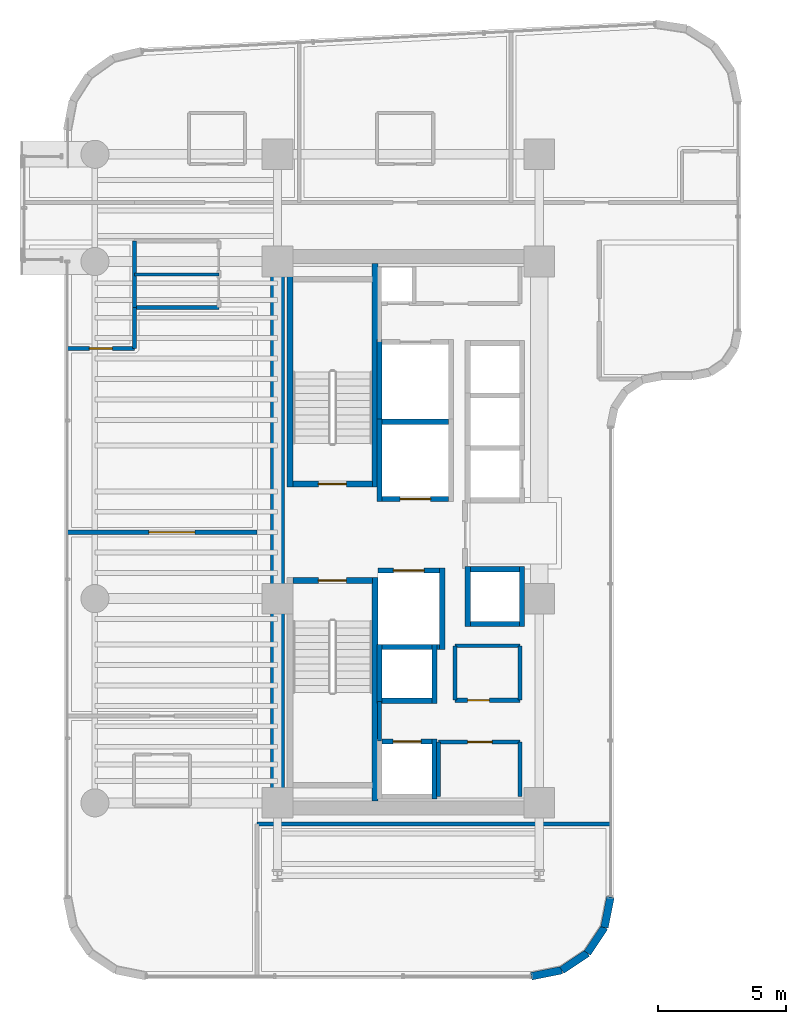
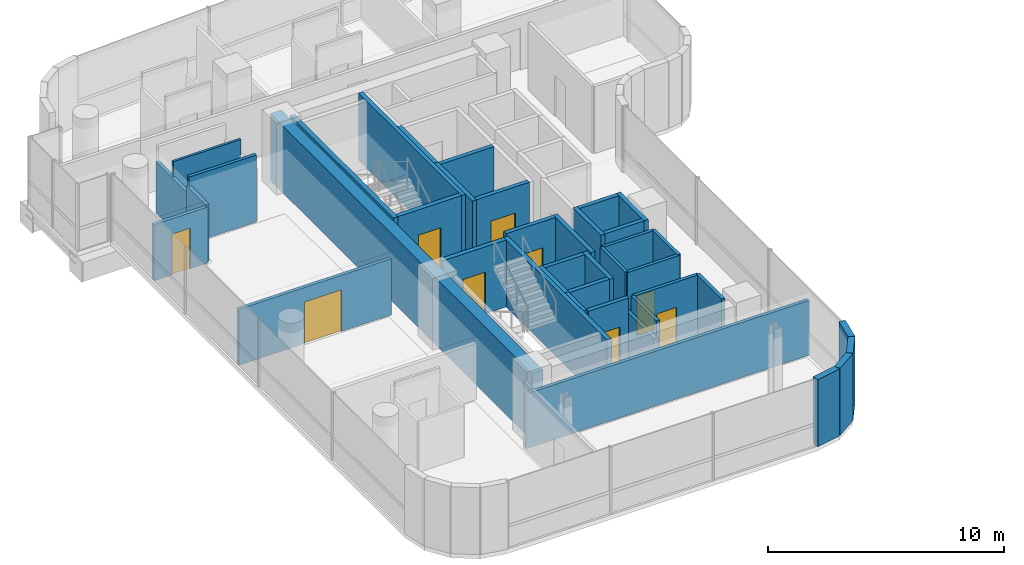
# One storey, part 25 of 33: 41 walls, 9 doors, 9 openings.
"""IFC4 building model written with IfcOpenShell, lengths in metres."""

from ifc_helpers import new_model, si_unit, direction, frame, frame_2d, origin, place, context, subcontext, project, spatial, rectangle, extrude, material, layer, layer_set, type_object, element, fill, save


model = new_model("IFC4")

# Units and contexts
model_context = context("Model", 3, precision=1e-05, world=origin(), true_north=direction((0.0, 1.0)))
body_context = subcontext(model_context, "Body", "Model", "MODEL_VIEW")
ifc_project = project(units=[si_unit("LENGTHUNIT", "METRE"), si_unit("AREAUNIT", "SQUARE_METRE"), si_unit("VOLUMEUNIT", "CUBIC_METRE"), si_unit("PLANEANGLEUNIT", "RADIAN"), si_unit("MASSUNIT", "GRAM", prefix="KILO")], contexts=[model_context])

# Site, building, storey
site_placement = place(None, origin())
site = spatial("IfcSite", under=ifc_project, at=site_placement, CompositionType="ELEMENT")
building_placement = place(site_placement, origin())
building = spatial("IfcBuilding", under=site, at=building_placement, Name="Valdorenza Pilgrim Sanctuary Tower", CompositionType="ELEMENT")
storey_placement = place(building_placement, frame((0.0, 0.0, 157.5)))
storey = spatial("IfcBuildingStorey", under=building, at=storey_placement, Name="L40", CompositionType="ELEMENT", Elevation=157.5)

# Wall
ifc_material_1 = material(Name="Acoustic twin-stud gypsum partition", Category="gypsum")
ifc_layer_1 = layer(ifc_material_1, 0.159912109375, Name="Acoustic twin-stud gypsum partition")
ifc_layer_set_1 = layer_set([ifc_layer_1], Name="Acoustic twin-stud gypsum partition")
wall_type_1 = type_object("IfcWallType", Name="WAL-COR-160", PredefinedType="PARTITIONING", material=ifc_layer_set_1)
wall_1_placement = place(storey_placement, frame((-18.64990234375, -8.179931640625, 0.0), z_axis=(0.0, 0.0, 1.0), x_axis=(0.0, 1.0, 0.0)))
element("IfcWall", 1, at=wall_1_placement, inside=storey, type_object=wall_type_1, Name="L40 Core A South Lift Hall West Wall", PredefinedType="PARTITIONING", context=body_context, shape_type="SweptSolid", body=[
    extrude(rectangle(XDim=1.559814453125, YDim=0.159912109375, at=frame_2d((0.77978515625, 0.0))), origin(), (0.0, 0.0, 1.0), 3.4599609375),
])

# Wall, opening, door
wall_2_placement = place(storey_placement, frame((-16.35009765625, -8.219970703125, 0.0), z_axis=(0.0, 0.0, 1.0), x_axis=(1.0, 0.0, 0.0)))
wall_2 = element("IfcWall", 2, at=wall_2_placement, inside=storey, type_object=wall_type_1, Name="L40 Freed Shaft 1 North Wall", PredefinedType="PARTITIONING", context=body_context, shape_type="SweptSolid", body=[
    extrude(rectangle(XDim=3.2001953125, YDim=0.159912109375, at=frame_2d((1.60009765625, 0.0))), origin(), (0.0, 0.0, 1.0), 3.4599609375),
])
opening_1_placement = place(wall_2_placement, frame((1.14990234375, 0.0, 0.0)))
opening_1 = element("IfcOpeningElement", 3, at=opening_1_placement, cuts=wall_2, Name="Opening DR-UN1", PredefinedType="OPENING", context=body_context, shape_type="SweptSolid", body=[
    extrude(rectangle(XDim=0.949951171875, YDim=2.14990234375, at=frame_2d((0.47509765625, 1.074951171875))), frame((0.0, 0.0947265625, 0.0), z_axis=(0.0, -1.0, 0.0), x_axis=(1.0, 0.0, 0.0)), (0.0, 0.0, 1.0), 0.189697265625),
])
ifc_material_2 = material(Name="Solid-core European oak timber", Category="wood")
door_type_1 = type_object("IfcDoorType", Name="DR-UNIT-950", OperationType="NOTDEFINED", PredefinedType="DOOR", material=ifc_material_2)
door_1_placement = place(opening_1_placement, origin())
door_1 = element("IfcDoor", 4, at=door_1_placement, inside=storey, type_object=door_type_1, Name="L40 Back-of-House Linen Store Door", OperationType="SINGLE_SWING_LEFT", OverallHeight=2.14990234375, OverallWidth=0.949951171875, PredefinedType="DOOR", context=body_context, shape_type="SweptSolid", body=[
    extrude(rectangle(XDim=0.949951171875, YDim=2.14990234375, at=frame_2d((0.47509765625, 1.074951171875))), frame((0.0, 0.02490234375, 0.0), z_axis=(0.0, -1.0, 0.0), x_axis=(1.0, 0.0, 0.0)), (0.0, 0.0, 1.0), 0.050048828125),
])
fill(opening_1, door_1)

# Wall
wall_3_placement = place(storey_placement, frame((-13.14990234375, -10.35009765625, 0.0), z_axis=(0.0, 0.0, 1.0), x_axis=(0.0, 1.0, 0.0)))
element("IfcWall", 5, at=wall_3_placement, inside=storey, type_object=wall_type_1, Name="L40 Freed Shaft 1 East Wall", PredefinedType="PARTITIONING", context=body_context, shape_type="SweptSolid", body=[
    extrude(rectangle(XDim=2.130126953125, YDim=0.159912109375, at=frame_2d((1.06494140625, 0.0))), origin(), (0.0, 0.0, 1.0), 3.4599609375),
])

# Wall, opening, door
wall_4_placement = place(storey_placement, frame((-15.699951171875, -6.580078125, 0.0), z_axis=(0.0, 0.0, 1.0), x_axis=(1.0, 0.0, 0.0)))
wall_4 = element("IfcWall", 6, at=wall_4_placement, inside=storey, type_object=wall_type_1, Name="L40 Freed Shaft 2 South Wall", PredefinedType="PARTITIONING", context=body_context, shape_type="SweptSolid", body=[
    extrude(rectangle(XDim=2.550048828125, YDim=0.159912109375, at=frame_2d((1.27490234375, 0.0))), origin(), (0.0, 0.0, 1.0), 3.4599609375),
])
opening_2_placement = place(wall_4_placement, frame((0.5, 0.0, 0.0)))
opening_2 = element("IfcOpeningElement", 7, at=opening_2_placement, cuts=wall_4, Name="Opening DR-RS1", PredefinedType="OPENING", context=body_context, shape_type="SweptSolid", body=[
    extrude(rectangle(XDim=0.85009765625, YDim=2.050048828125, at=frame_2d((0.425048828125, 1.02490234375))), frame((0.0, 0.0947265625, 0.0), z_axis=(0.0, -1.0, 0.0), x_axis=(1.0, 0.0, 0.0)), (0.0, 0.0, 1.0), 0.189697265625),
])
ifc_material_3 = material(Name="Painted galvanized steel", Category="steel")
door_type_2 = type_object("IfcDoorType", Name="DR-RSR-850", OperationType="NOTDEFINED", PredefinedType="DOOR", material=ifc_material_3)
door_2_placement = place(opening_2_placement, origin())
door_2 = element("IfcDoor", 8, at=door_2_placement, inside=storey, type_object=door_type_2, Name="L40 Guest Tea Pantry Door", OperationType="SINGLE_SWING_RIGHT", OverallHeight=2.050048828125, OverallWidth=0.85009765625, PredefinedType="DOOR", context=body_context, shape_type="SweptSolid", body=[
    extrude(rectangle(XDim=0.85009765625, YDim=2.050048828125, at=frame_2d((0.425048828125, 1.02490234375))), frame((0.0, 0.02490234375, 0.0), z_axis=(0.0, -1.0, 0.0), x_axis=(1.0, 0.0, 0.0)), (0.0, 0.0, 1.0), 0.050048828125),
])
fill(opening_2, door_2)

# Walls
wall_5_placement = place(storey_placement, frame((-13.14990234375, -6.580078125, 0.0), z_axis=(0.0, 0.0, 1.0), x_axis=(0.0, 1.0, 0.0)))
element("IfcWall", 9, at=wall_5_placement, inside=storey, type_object=wall_type_1, Name="L40 Freed Shaft 2 East Wall", PredefinedType="PARTITIONING", context=body_context, shape_type="SweptSolid", body=[
    extrude(rectangle(XDim=2.130126953125, YDim=0.159912109375, at=frame_2d((1.06494140625, 0.0))), origin(), (0.0, 0.0, 1.0), 3.4599609375),
])
wall_6_placement = place(storey_placement, frame((-28.25, 8.800048828125, 0.0), z_axis=(0.0, 0.0, 1.0), x_axis=(0.0, 1.0, 0.0)))
element("IfcWall", 10, at=wall_6_placement, inside=storey, type_object=wall_type_1, Name="L40 Washroom West Wall", PredefinedType="PARTITIONING", context=body_context, shape_type="SweptSolid", body=[
    extrude(rectangle(XDim=2.599853515625, YDim=0.159912109375, at=frame_2d((1.2998046875, 0.0))), origin(), (0.0, 0.0, 1.0), 2.666015625),
])
wall_7_placement = place(storey_placement, frame((-28.25, 8.800048828125, 0.0), z_axis=(0.0, 0.0, 1.0), x_axis=(1.0, 0.0, 0.0)))
element("IfcWall", 11, at=wall_7_placement, inside=storey, type_object=wall_type_1, Name="L40 Washroom South Wall", PredefinedType="PARTITIONING", context=body_context, shape_type="SweptSolid", body=[
    extrude(rectangle(XDim=3.300048828125, YDim=0.159912109375, at=frame_2d((1.64990234375, 0.0))), origin(), (0.0, 0.0, 1.0), 3.4599609375),
])
wall_8_placement = place(storey_placement, frame((-23.449951171875, -11.419921875, 0.0), z_axis=(0.0, 0.0, 1.0), x_axis=(1.0, 0.0, 0.0)))
element("IfcWall", 12, at=wall_8_placement, inside=storey, type_object=wall_type_1, Name="L40 South-East Pocket North Wall", PredefinedType="PARTITIONING", context=body_context, shape_type="SweptSolid", body=[
    extrude(rectangle(XDim=13.83984375, YDim=0.159912109375, at=frame_2d((6.919921875, 0.0))), origin(), (0.0, 0.0, 1.0), 2.833984375),
])

# Wall, opening, door
wall_9_placement = place(storey_placement, frame((-30.889892578125, 7.199951171875, 0.0), z_axis=(0.0, 0.0, 1.0), x_axis=(1.0, 0.0, 0.0)))
wall_9 = element("IfcWall", 13, at=wall_9_placement, inside=storey, type_object=wall_type_1, Name="L40 Cloister North Room Wall", PredefinedType="PARTITIONING", context=body_context, shape_type="SweptSolid", body=[
    extrude(rectangle(XDim=2.639892578125, YDim=0.159912109375, at=frame_2d((1.31982421875, 0.0))), origin(), (0.0, 0.0, 1.0), 2.89599609375),
])
opening_3_placement = place(wall_9_placement, frame((0.8701171875, 0.0, 0.0)))
opening_3 = element("IfcOpeningElement", 14, at=opening_3_placement, cuts=wall_9, Name="Opening DR-RM1", PredefinedType="OPENING", context=body_context, shape_type="SweptSolid", body=[
    extrude(rectangle(XDim=0.89990234375, YDim=2.10009765625, at=frame_2d((0.449951171875, 1.050048828125))), frame((0.0, 0.0947265625, 0.0), z_axis=(0.0, -1.0, 0.0), x_axis=(1.0, 0.0, 0.0)), (0.0, 0.0, 1.0), 0.189697265625),
])
door_type_3 = type_object("IfcDoorType", Name="DR-ROOM-900", OperationType="NOTDEFINED", PredefinedType="DOOR", material=ifc_material_2)
door_3_placement = place(opening_3_placement, origin())
door_3 = element("IfcDoor", 15, at=door_3_placement, inside=storey, type_object=door_type_3, Name="L40 Pastoral Scholar Office L40-CN1 Door", OperationType="SINGLE_SWING_RIGHT", OverallHeight=2.10009765625, OverallWidth=0.89990234375, PredefinedType="DOOR", context=body_context, shape_type="SweptSolid", body=[
    extrude(rectangle(XDim=0.89990234375, YDim=2.10009765625, at=frame_2d((0.449951171875, 1.050048828125))), frame((0.0, 0.02490234375, 0.0), z_axis=(0.0, -1.0, 0.0), x_axis=(1.0, 0.0, 0.0)), (0.0, 0.0, 1.0), 0.050048828125),
])
fill(opening_3, door_3)

# Wall
wall_10_placement = place(storey_placement, frame((-28.25, 7.199951171875, 0.0), z_axis=(0.0, 0.0, 1.0), x_axis=(0.0, 1.0, 0.0)))
element("IfcWall", 16, at=wall_10_placement, inside=storey, type_object=wall_type_1, Name="L40 Cloister NE Closure", PredefinedType="PARTITIONING", context=body_context, shape_type="SweptSolid", body=[
    extrude(rectangle(XDim=1.60009765625, YDim=0.159912109375, at=frame_2d((0.800048828125, 0.0))), origin(), (0.0, 0.0, 1.0), 2.988037109375),
])

# Wall, opening, door
wall_11_placement = place(storey_placement, frame((-30.889892578125, 0.0, 0.0), z_axis=(0.0, 0.0, 1.0), x_axis=(1.0, 0.0, 0.0)))
wall_11 = element("IfcWall", 17, at=wall_11_placement, inside=storey, type_object=wall_type_1, Name="L40 Cloister Mid Wall", PredefinedType="PARTITIONING", context=body_context, shape_type="SweptSolid", body=[
    extrude(rectangle(XDim=7.43994140625, YDim=0.159912109375, at=frame_2d((3.719970703125, 0.0))), origin(), (0.0, 0.0, 1.0), 2.89599609375),
])
opening_4_placement = place(wall_11_placement, frame((3.199951171875, 0.0, 0.0)))
opening_4 = element("IfcOpeningElement", 18, at=opening_4_placement, cuts=wall_11, Name="Opening DR-HL1", PredefinedType="OPENING", context=body_context, shape_type="SweptSolid", body=[
    extrude(rectangle(XDim=1.800048828125, YDim=2.14990234375, at=frame_2d((0.89990234375, 1.074951171875))), frame((0.0, 0.0947265625, 0.0), z_axis=(0.0, -1.0, 0.0), x_axis=(1.0, 0.0, 0.0)), (0.0, 0.0, 1.0), 0.189697265625),
])
ifc_material_4 = material(Name="Acoustic oak and vision-glass double door", Category="glass")
door_type_4 = type_object("IfcDoorType", Name="DR-HALL-1800", OperationType="NOTDEFINED", PredefinedType="DOOR", material=ifc_material_4)
door_4_placement = place(opening_4_placement, frame((1.800048828125, 0.0, 0.0), z_axis=(0.0, 0.0, 1.0), x_axis=(-1.0, 0.0, 0.0)))
door_4 = element("IfcDoor", 19, at=door_4_placement, inside=storey, type_object=door_type_4, Name="L40 Cloister Mid Double Door", OperationType="DOUBLE_DOOR_SINGLE_SWING", OverallHeight=2.14990234375, OverallWidth=1.800048828125, PredefinedType="DOOR", context=body_context, shape_type="SweptSolid", body=[
    extrude(rectangle(XDim=1.800048828125, YDim=2.14990234375, at=frame_2d((0.89990234375, 1.074951171875))), frame((0.0, 0.02490234375, 0.0), z_axis=(0.0, -1.0, 0.0), x_axis=(1.0, 0.0, 0.0)), (0.0, 0.0, 1.0), 0.050048828125),
])
fill(opening_4, door_4)

# Walls
ifc_material_5 = material(Name="Concrete C50/60", Category="concrete")
ifc_layer_2 = layer(ifc_material_5, 0.550048828125, Name="Concrete C50/60")
ifc_layer_set_2 = layer_set([ifc_layer_2], Name="Concrete C50/60")
wall_type_2 = type_object("IfcWallType", Name="WAL-COR-550", PredefinedType="SHEAR", material=ifc_layer_set_2)
wall_12_placement = place(storey_placement, frame((-22.64990234375, -11.074951171875, 0.0), z_axis=(0.0, 0.0, 1.0), x_axis=(0.0, 1.0, 0.0)))
element("IfcWall", 20, at=wall_12_placement, inside=storey, type_object=wall_type_2, Name="L40 Split Core A Shear Wall W", PredefinedType="SHEAR", context=body_context, shape_type="SweptSolid", body=[
    extrude(rectangle(XDim=22.14990234375, YDim=0.550048828125, at=frame_2d((11.074951171875, 0.0))), origin(), (0.0, 0.0, 1.0), 3.4599609375),
])
ifc_material_6 = material(Name="Honed travertine limestone", Category="masonry")
ifc_layer_3 = layer(ifc_material_6, 0.300048828125, Name="Honed travertine limestone")
ifc_layer_set_3 = layer_set([ifc_layer_3], Name="Honed travertine limestone")
wall_type_3 = type_object("IfcWallType", Name="WAL-EXT-300", PredefinedType="SOLIDWALL", material=ifc_layer_set_3)
wall_13_placement = place(storey_placement, frame((-9.610107421875, -14.289306640625, 0.0), z_axis=(0.0, 0.0, 1.0), x_axis=(-0.194996050505, -0.980804027463, 0.0)))
element("IfcWall", 21, at=wall_13_placement, inside=storey, type_object=wall_type_3, Name="L40 Rounded Wind-Corner Stone Pier 22", PredefinedType="SOLIDWALL", context=body_context, shape_type="SweptSolid", body=[
    extrude(rectangle(XDim=1.2158203125, YDim=0.300048828125, at=frame_2d((0.60791015625, 0.0))), origin(), (0.0, 0.0, 1.0), 3.4599609375),
])
for number, where, z_axis, x_axis, name in (
    (22, (-9.84716796875, -15.481689453125, 0.0), (0.0, 0.0, 1.0), (-0.555635100982, -0.831426265255, 0.0), "L40 Rounded Wind-Corner Stone Pier 23"),
    (23, (-10.5166015625, -16.4833984375, 0.0), (0.0, 0.0, 1.0), (-0.831426265255, -0.555635100982, 0.0), "L40 Rounded Wind-Corner Stone Pier 24"),
):
    element("IfcWall", number, at=place(storey_placement, frame(where, z_axis=z_axis, x_axis=x_axis)), inside=storey, type_object=wall_type_3, Name=name, PredefinedType="SOLIDWALL", context=body_context, shape_type="SweptSolid", body=[
        extrude(rectangle(XDim=1.204833984375, YDim=0.300048828125, at=frame_2d((0.6025390625, 0.0))), origin(), (0.0, 0.0, 1.0), 3.4599609375),
    ])
wall_14_placement = place(storey_placement, frame((-11.518310546875, -17.15283203125, 0.0), z_axis=(0.0, 0.0, 1.0), x_axis=(-0.980804027463, -0.194996050505, 0.0)))
element("IfcWall", 24, at=wall_14_placement, inside=storey, type_object=wall_type_3, Name="L40 Rounded Wind-Corner Stone Pier 25", PredefinedType="SOLIDWALL", context=body_context, shape_type="SweptSolid", body=[
    extrude(rectangle(XDim=1.2158203125, YDim=0.300048828125, at=frame_2d((0.60791015625, 0.0))), origin(), (0.0, 0.0, 1.0), 3.4599609375),
])
ifc_material_7 = material(Name="Moisture-resistant gypsum partition", Category="gypsum")
ifc_layer_4 = layer(ifc_material_7, 0.1201171875, Name="Moisture-resistant gypsum partition")
ifc_layer_set_4 = layer_set([ifc_layer_4], Name="Moisture-resistant gypsum partition")
wall_type_4 = type_object("IfcWallType", Name="WAL-INT-120", PredefinedType="PARTITIONING", material=ifc_layer_set_4)
wall_15_placement = place(storey_placement, frame((-28.25, 10.10009765625, 0.0), z_axis=(0.0, 0.0, 1.0), x_axis=(1.0, 0.0, 0.0)))
element("IfcWall", 25, at=wall_15_placement, inside=storey, type_object=wall_type_4, Name="L40 Washroom Divider Wall", PredefinedType="PARTITIONING", context=body_context, shape_type="SweptSolid", body=[
    extrude(rectangle(XDim=3.300048828125, YDim=0.1201171875, at=frame_2d((1.64990234375, 0.0))), origin(), (0.0, 0.0, 1.0), 3.4599609375),
])
ifc_material_8 = material(Name="Autoclaved aerated concrete blockwork", Category="masonry")
ifc_layer_5 = layer(ifc_material_8, 0.199951171875, Name="Autoclaved aerated concrete blockwork")
ifc_layer_set_5 = layer_set([ifc_layer_5], Name="Autoclaved aerated concrete blockwork")
wall_type_5 = type_object("IfcWallType", Name="WAL-SHF-200", PredefinedType="MOVABLE", material=ifc_layer_set_5)
wall_16_placement = place(storey_placement, frame((-18.64990234375, 1.199951171875, 0.0), z_axis=(0.0, 0.0, 1.0), x_axis=(0.0, 1.0, 0.0)))
element("IfcWall", 26, at=wall_16_placement, inside=storey, type_object=wall_type_5, Name="L40 Lift FFL-01 Hoistway Wall West", PredefinedType="MOVABLE", context=body_context, shape_type="SweptSolid", body=[
    extrude(rectangle(XDim=3.22509765625, YDim=0.199951171875, at=frame_2d((1.612548828125, 0.0))), origin(), (0.0, 0.0, 1.0), 3.4599609375),
])

# Wall, opening, door
wall_17_placement = place(storey_placement, frame((-18.550048828125, 1.300048828125, 0.0), z_axis=(0.0, 0.0, 1.0), x_axis=(1.0, 0.0, 0.0)))
wall_17 = element("IfcWall", 27, at=wall_17_placement, inside=storey, type_object=wall_type_5, Name="L40 Lift FFL-01 Hoistway Wall South", PredefinedType="MOVABLE", context=body_context, shape_type="SweptSolid", body=[
    extrude(rectangle(XDim=2.60009765625, YDim=0.199951171875, at=frame_2d((1.300048828125, 0.0))), origin(), (0.0, 0.0, 1.0), 3.4599609375),
])
opening_5_placement = place(wall_17_placement, frame((0.699951171875, 0.0, 0.0)))
opening_5 = element("IfcOpeningElement", 28, at=opening_5_placement, cuts=wall_17, Name="Opening LD-02", PredefinedType="OPENING", context=body_context, shape_type="SweptSolid", body=[
    extrude(rectangle(XDim=1.199951171875, YDim=2.10009765625, at=frame_2d((0.60009765625, 1.050048828125))), frame((0.0, 0.11474609375, 0.0), z_axis=(0.0, -1.0, 0.0), x_axis=(1.0, 0.0, 0.0)), (0.0, 0.0, 1.0), 0.229736328125),
])
ifc_material_9 = material(Name="Brushed stainless steel Grade 316", Category="steel")
door_type_5 = type_object("IfcDoorType", Name="DR-LFT-1200", OperationType="DOUBLE_DOOR_SLIDING", PredefinedType="DOOR", material=ifc_material_9)
door_5_placement = place(opening_5_placement, origin())
door_5 = element("IfcDoor", 29, at=door_5_placement, inside=storey, type_object=door_type_5, Name="L40 Lift FFL-01 Sliding Landing Door", OperationType="DOUBLE_DOOR_SLIDING", OverallHeight=2.10009765625, OverallWidth=1.199951171875, PredefinedType="DOOR", context=body_context, shape_type="SweptSolid", body=[
    extrude(rectangle(XDim=1.199951171875, YDim=2.10009765625, at=frame_2d((0.60009765625, 1.050048828125))), frame((0.0, 0.02490234375, 0.0), z_axis=(0.0, -1.0, 0.0), x_axis=(1.0, 0.0, 0.0)), (0.0, 0.0, 1.0), 0.050048828125),
])
fill(opening_5, door_5)

# Walls
wall_18_placement = place(storey_placement, frame((-18.550048828125, 4.324951171875, 0.0), z_axis=(0.0, 0.0, 1.0), x_axis=(1.0, 0.0, 0.0)))
element("IfcWall", 30, at=wall_18_placement, inside=storey, type_object=wall_type_5, Name="L40 Lift FFL-01 Hoistway Wall North", PredefinedType="MOVABLE", context=body_context, shape_type="SweptSolid", body=[
    extrude(rectangle(XDim=2.60009765625, YDim=0.199951171875, at=frame_2d((1.300048828125, 0.0))), origin(), (0.0, 0.0, 1.0), 3.4599609375),
])
wall_19_placement = place(storey_placement, frame((-16.199951171875, -4.60009765625, 0.0), z_axis=(0.0, 0.0, 1.0), x_axis=(0.0, 1.0, 0.0)))
element("IfcWall", 31, at=wall_19_placement, inside=storey, type_object=wall_type_5, Name="L40 Lift FFL-02 Hoistway Wall East", PredefinedType="MOVABLE", context=body_context, shape_type="SweptSolid", body=[
    extrude(rectangle(XDim=3.2001953125, YDim=0.199951171875, at=frame_2d((1.60009765625, 0.0))), origin(), (0.0, 0.0, 1.0), 3.4599609375),
])
wall_20_placement = place(storey_placement, frame((-18.719970703125, -4.5, 0.0), z_axis=(0.0, 0.0, 1.0), x_axis=(1.0, 0.0, 0.0)))
element("IfcWall", 32, at=wall_20_placement, inside=storey, type_object=wall_type_5, Name="L40 Lift FFL-02 Hoistway Wall South", PredefinedType="MOVABLE", context=body_context, shape_type="SweptSolid", body=[
    extrude(rectangle(XDim=2.419921875, YDim=0.199951171875, at=frame_2d((1.2099609375, 0.0))), origin(), (0.0, 0.0, 1.0), 3.4599609375),
])

# Wall, opening, door
wall_21_placement = place(storey_placement, frame((-18.719970703125, -1.5, 0.0), z_axis=(0.0, 0.0, 1.0), x_axis=(1.0, 0.0, 0.0)))
wall_21 = element("IfcWall", 33, at=wall_21_placement, inside=storey, type_object=wall_type_5, Name="L40 Lift FFL-02 Hoistway Wall North", PredefinedType="MOVABLE", context=body_context, shape_type="SweptSolid", body=[
    extrude(rectangle(XDim=2.419921875, YDim=0.199951171875, at=frame_2d((1.2099609375, 0.0))), origin(), (0.0, 0.0, 1.0), 3.4599609375),
])
opening_6_placement = place(wall_21_placement, frame((0.610107421875, 0.0, 0.0)))
opening_6 = element("IfcOpeningElement", 34, at=opening_6_placement, cuts=wall_21, Name="Opening LD-02", PredefinedType="OPENING", context=body_context, shape_type="SweptSolid", body=[
    extrude(rectangle(XDim=1.199951171875, YDim=2.10009765625, at=frame_2d((0.60009765625, 1.050048828125))), frame((0.0, 0.11474609375, 0.0), z_axis=(0.0, -1.0, 0.0), x_axis=(1.0, 0.0, 0.0)), (0.0, 0.0, 1.0), 0.229736328125),
])
door_6_placement = place(opening_6_placement, origin())
door_6 = element("IfcDoor", 35, at=door_6_placement, inside=storey, type_object=door_type_5, Name="L40 Lift FFL-02 Sliding Landing Door", OperationType="DOUBLE_DOOR_SLIDING", OverallHeight=2.10009765625, OverallWidth=1.199951171875, PredefinedType="DOOR", context=body_context, shape_type="SweptSolid", body=[
    extrude(rectangle(XDim=1.199951171875, YDim=2.10009765625, at=frame_2d((0.60009765625, 1.050048828125))), frame((0.0, 0.02490234375, 0.0), z_axis=(0.0, -1.0, 0.0), x_axis=(1.0, 0.0, 0.0)), (0.0, 0.0, 1.0), 0.050048828125),
])
fill(opening_6, door_6)

# Walls
wall_22_placement = place(storey_placement, frame((-18.64990234375, 4.22509765625, 0.0), z_axis=(0.0, 0.0, 1.0), x_axis=(0.0, 1.0, 0.0)))
element("IfcWall", 36, at=wall_22_placement, inside=storey, type_object=wall_type_5, Name="L40 Lift SVL-01 Hoistway Wall West", PredefinedType="MOVABLE", context=body_context, shape_type="SweptSolid", body=[
    extrude(rectangle(XDim=3.324951171875, YDim=0.199951171875, at=frame_2d((1.66259765625, 0.0))), origin(), (0.0, 0.0, 1.0), 3.4599609375),
])
wall_23_placement = place(storey_placement, frame((-16.5, -10.449951171875, 0.0), z_axis=(0.0, 0.0, 1.0), x_axis=(0.0, 1.0, 0.0)))
element("IfcWall", 37, at=wall_23_placement, inside=storey, type_object=wall_type_5, Name="L40 Lift PL-05 Hoistway Wall East", PredefinedType="MOVABLE", context=body_context, shape_type="SweptSolid", body=[
    extrude(rectangle(XDim=2.349853515625, YDim=0.199951171875, at=frame_2d((1.1748046875, 0.0))), origin(), (0.0, 0.0, 1.0), 2.666015625),
])

# Wall, opening, door
wall_24_placement = place(storey_placement, frame((-18.550048828125, -8.199951171875, 0.0), z_axis=(0.0, 0.0, 1.0), x_axis=(1.0, 0.0, 0.0)))
wall_24 = element("IfcWall", 38, at=wall_24_placement, inside=storey, type_object=wall_type_5, Name="L40 Lift PL-05 Hoistway Wall North", PredefinedType="MOVABLE", context=body_context, shape_type="SweptSolid", body=[
    extrude(rectangle(XDim=1.949951171875, YDim=0.199951171875, at=frame_2d((0.97509765625, 0.0))), origin(), (0.0, 0.0, 1.0), 3.4599609375),
])
opening_7_placement = place(wall_24_placement, frame((0.425048828125, 0.0, 0.0)))
opening_7 = element("IfcOpeningElement", 39, at=opening_7_placement, cuts=wall_24, Name="Opening LD-01", PredefinedType="OPENING", context=body_context, shape_type="SweptSolid", body=[
    extrude(rectangle(XDim=1.10009765625, YDim=2.10009765625, at=frame_2d((0.550048828125, 1.050048828125))), frame((0.0, 0.11474609375, 0.0), z_axis=(0.0, -1.0, 0.0), x_axis=(1.0, 0.0, 0.0)), (0.0, 0.0, 1.0), 0.229736328125),
])
door_type_6 = type_object("IfcDoorType", Name="DR-LFT-1100", OperationType="DOUBLE_DOOR_SLIDING", PredefinedType="DOOR", material=ifc_material_9)
door_7_placement = place(opening_7_placement, origin())
door_7 = element("IfcDoor", 40, at=door_7_placement, inside=storey, type_object=door_type_6, Name="L40 Lift PL-05 Sliding Landing Door", OperationType="DOUBLE_DOOR_SLIDING", OverallHeight=2.10009765625, OverallWidth=1.10009765625, PredefinedType="DOOR", context=body_context, shape_type="SweptSolid", body=[
    extrude(rectangle(XDim=1.10009765625, YDim=2.10009765625, at=frame_2d((0.550048828125, 1.050048828125))), frame((0.0, 0.02490234375, 0.0), z_axis=(0.0, -1.0, 0.0), x_axis=(1.0, 0.0, 0.0)), (0.0, 0.0, 1.0), 0.050048828125),
])
fill(opening_7, door_7)

# Walls
for number, where, z_axis, x_axis, name in (
    (41, (-18.64990234375, -6.699951171875, 0.0), (0.0, 0.0, 1.0), (0.0, 1.0, 0.0), "L40 Lift PL-11 Hoistway Wall West"),
    (42, (-16.5, -6.699951171875, 0.0), (0.0, 0.0, 1.0), (0.0, 1.0, 0.0), "L40 Lift PL-11 Hoistway Wall East"),
):
    element("IfcWall", number, at=place(storey_placement, frame(where, z_axis=z_axis, x_axis=x_axis)), inside=storey, type_object=wall_type_5, Name=name, PredefinedType="MOVABLE", context=body_context, shape_type="SweptSolid", body=[
        extrude(rectangle(XDim=2.300048828125, YDim=0.199951171875, at=frame_2d((1.14990234375, 0.0))), origin(), (0.0, 0.0, 1.0), 3.4599609375),
    ])
wall_25_placement = place(storey_placement, frame((-18.550048828125, -6.60009765625, 0.0), z_axis=(0.0, 0.0, 1.0), x_axis=(1.0, 0.0, 0.0)))
element("IfcWall", 43, at=wall_25_placement, inside=storey, type_object=wall_type_5, Name="L40 Lift PL-11 Hoistway Wall South", PredefinedType="MOVABLE", context=body_context, shape_type="SweptSolid", body=[
    extrude(rectangle(XDim=1.949951171875, YDim=0.199951171875, at=frame_2d((0.97509765625, 0.0))), origin(), (0.0, 0.0, 1.0), 3.4599609375),
])
for number, where, z_axis, x_axis, name in (
    (44, (-15.199951171875, -3.699951171875, 0.0), (0.0, 0.0, 1.0), (0.0, 1.0, 0.0), "L40 Lift PL-12 Hoistway Wall West"),
    (45, (-13.080078125, -3.699951171875, 0.0), (0.0, 0.0, 1.0), (0.0, 1.0, 0.0), "L40 Lift PL-12 Hoistway Wall East"),
):
    element("IfcWall", number, at=place(storey_placement, frame(where, z_axis=z_axis, x_axis=x_axis)), inside=storey, type_object=wall_type_5, Name=name, PredefinedType="MOVABLE", context=body_context, shape_type="SweptSolid", body=[
        extrude(rectangle(XDim=2.349853515625, YDim=0.199951171875, at=frame_2d((1.1748046875, 0.0))), origin(), (0.0, 0.0, 1.0), 3.4599609375),
    ])
for number, where, z_axis, x_axis, name in (
    (46, (-15.10009765625, -3.60009765625, 0.0), (0.0, 0.0, 1.0), (1.0, 0.0, 0.0), "L40 Lift PL-12 Hoistway Wall South"),
    (47, (-15.10009765625, -1.449951171875, 0.0), (0.0, 0.0, 1.0), (1.0, 0.0, 0.0), "L40 Lift PL-12 Hoistway Wall North"),
):
    element("IfcWall", number, at=place(storey_placement, frame(where, z_axis=z_axis, x_axis=x_axis)), inside=storey, type_object=wall_type_5, Name=name, PredefinedType="MOVABLE", context=body_context, shape_type="SweptSolid", body=[
        extrude(rectangle(XDim=1.920166015625, YDim=0.199951171875, at=frame_2d((0.9599609375, 0.0))), origin(), (0.0, 0.0, 1.0), 3.4599609375),
    ])
ifc_material_10 = material(Name="Concrete C40/50", Category="concrete")
ifc_layer_6 = layer(ifc_material_10, 0.219970703125, Name="Concrete C40/50")
ifc_layer_set_6 = layer_set([ifc_layer_6], Name="Concrete C40/50")
wall_type_6 = type_object("IfcWallType", Name="WAL-STR-SHF-220", PredefinedType="SHEAR", material=ifc_layer_set_6)
for number, where, z_axis, x_axis, name in (
    (48, (-22.159912109375, 1.780029296875, 0.0), (0.0, 0.0, 1.0), (0.0, 1.0, 0.0), "L40 ST-A1 Structural Stairwell Wall W"),
    (49, (-18.830078125, 1.780029296875, 0.0), (0.0, 0.0, 1.0), (0.0, 1.0, 0.0), "L40 ST-A1 Structural Stairwell Wall E"),
):
    element("IfcWall", number, at=place(storey_placement, frame(where, z_axis=z_axis, x_axis=x_axis)), inside=storey, type_object=wall_type_6, Name=name, PredefinedType="SHEAR", context=body_context, shape_type="SweptSolid", body=[
        extrude(rectangle(XDim=8.744873046875, YDim=0.219970703125, at=frame_2d((4.37255859375, 0.0))), origin(), (0.0, 0.0, 1.0), 3.4599609375),
    ])

# Wall, opening, door
wall_26_placement = place(storey_placement, frame((-22.050048828125, 1.889892578125, 0.0), z_axis=(0.0, 0.0, 1.0), x_axis=(1.0, 0.0, 0.0)))
wall_26 = element("IfcWall", 50, at=wall_26_placement, inside=storey, type_object=wall_type_6, Name="L40 ST-A1 Structural Stairwell Wall S", PredefinedType="SHEAR", context=body_context, shape_type="SweptSolid", body=[
    extrude(rectangle(XDim=3.110107421875, YDim=0.219970703125, at=frame_2d((1.55517578125, 0.0))), origin(), (0.0, 0.0, 1.0), 3.4599609375),
])
opening_8_placement = place(wall_26_placement, frame((1.0, 0.0, 0.0)))
opening_8 = element("IfcOpeningElement", 51, at=opening_8_placement, cuts=wall_26, Name="Opening DR-ST1", PredefinedType="OPENING", context=body_context, shape_type="SweptSolid", body=[
    extrude(rectangle(XDim=1.10009765625, YDim=2.14990234375, at=frame_2d((0.550048828125, 1.074951171875))), frame((0.0, 0.125, 0.0), z_axis=(0.0, -1.0, 0.0), x_axis=(1.0, 0.0, 0.0)), (0.0, 0.0, 1.0), 0.249755859375),
])
door_type_7 = type_object("IfcDoorType", Name="DR-STAIR-1100", OperationType="NOTDEFINED", PredefinedType="DOOR", material=ifc_material_3)
door_8_placement = place(opening_8_placement, frame((1.10009765625, 0.0, 0.0), z_axis=(0.0, 0.0, 1.0), x_axis=(-1.0, 0.0, 0.0)))
door_8 = element("IfcDoor", 52, at=door_8_placement, inside=storey, type_object=door_type_7, Name="L40 Exit Stair ST-A1 Door", OperationType="SINGLE_SWING_LEFT", OverallHeight=2.14990234375, OverallWidth=1.10009765625, PredefinedType="DOOR", context=body_context, shape_type="SweptSolid", body=[
    extrude(rectangle(XDim=1.10009765625, YDim=2.14990234375, at=frame_2d((0.550048828125, 1.074951171875))), frame((0.0, 0.02490234375, 0.0), z_axis=(0.0, -1.0, 0.0), x_axis=(1.0, 0.0, 0.0)), (0.0, 0.0, 1.0), 0.050048828125),
])
fill(opening_8, door_8)

# Wall
wall_27_placement = place(storey_placement, frame((-18.830078125, -10.52490234375, 0.0), z_axis=(0.0, 0.0, 1.0), x_axis=(0.0, 1.0, 0.0)))
element("IfcWall", 53, at=wall_27_placement, inside=storey, type_object=wall_type_6, Name="L40 ST-A2 Structural Stairwell Wall E", PredefinedType="SHEAR", context=body_context, shape_type="SweptSolid", body=[
    extrude(rectangle(XDim=8.744873046875, YDim=0.219970703125, at=frame_2d((4.37255859375, 0.0))), origin(), (0.0, 0.0, 1.0), 3.4599609375),
])

# Wall, opening, door
wall_28_placement = place(storey_placement, frame((-22.050048828125, -1.889892578125, 0.0), z_axis=(0.0, 0.0, 1.0), x_axis=(1.0, 0.0, 0.0)))
wall_28 = element("IfcWall", 54, at=wall_28_placement, inside=storey, type_object=wall_type_6, Name="L40 ST-A2 Structural Stairwell Wall N", PredefinedType="SHEAR", context=body_context, shape_type="SweptSolid", body=[
    extrude(rectangle(XDim=3.110107421875, YDim=0.219970703125, at=frame_2d((1.55517578125, 0.0))), origin(), (0.0, 0.0, 1.0), 3.4599609375),
])
opening_9_placement = place(wall_28_placement, frame((1.0, 0.0, 0.0)))
opening_9 = element("IfcOpeningElement", 55, at=opening_9_placement, cuts=wall_28, Name="Opening DR-ST1", PredefinedType="OPENING", context=body_context, shape_type="SweptSolid", body=[
    extrude(rectangle(XDim=1.10009765625, YDim=2.14990234375, at=frame_2d((0.550048828125, 1.074951171875))), frame((0.0, 0.125, 0.0), z_axis=(0.0, -1.0, 0.0), x_axis=(1.0, 0.0, 0.0)), (0.0, 0.0, 1.0), 0.249755859375),
])
door_9_placement = place(opening_9_placement, origin())
door_9 = element("IfcDoor", 56, at=door_9_placement, inside=storey, type_object=door_type_7, Name="L40 Exit Stair ST-A2 Door", OperationType="SINGLE_SWING_RIGHT", OverallHeight=2.14990234375, OverallWidth=1.10009765625, PredefinedType="DOOR", context=body_context, shape_type="SweptSolid", body=[
    extrude(rectangle(XDim=1.10009765625, YDim=2.14990234375, at=frame_2d((0.550048828125, 1.074951171875))), frame((0.0, 0.02490234375, 0.0), z_axis=(0.0, -1.0, 0.0), x_axis=(1.0, 0.0, 0.0)), (0.0, 0.0, 1.0), 0.050048828125),
])
fill(opening_9, door_9)

# Walls
ifc_layer_7 = layer(ifc_material_1, 0.14990234375, Name="Acoustic twin-stud gypsum partition")
ifc_layer_set_7 = layer_set([ifc_layer_7], Name="Acoustic twin-stud gypsum partition")
wall_type_7 = type_object("IfcWallType", Name="WAL-UNT-150", PredefinedType="PARTITIONING", material=ifc_layer_set_7)
for number, where, z_axis, x_axis, name in (
    (57, (-16.35009765625, -10.35009765625, 0.0), (0.0, 0.0, 1.0), (0.0, 1.0, 0.0), "L40 Freed Shaft 1 West Wall"),
    (58, (-15.699951171875, -6.580078125, 0.0), (0.0, 0.0, 1.0), (0.0, 1.0, 0.0), "L40 Freed Shaft 2 West Wall"),
):
    element("IfcWall", number, at=place(storey_placement, frame(where, z_axis=z_axis, x_axis=x_axis)), inside=storey, type_object=wall_type_7, Name=name, PredefinedType="PARTITIONING", context=body_context, shape_type="SweptSolid", body=[
        extrude(rectangle(XDim=2.130126953125, YDim=0.14990234375, at=frame_2d((1.06494140625, 0.0))), origin(), (0.0, 0.0, 1.0), 3.4599609375),
    ])
wall_29_placement = place(storey_placement, frame((-15.699951171875, -4.449951171875, 0.0), z_axis=(0.0, 0.0, 1.0), x_axis=(1.0, 0.0, 0.0)))
element("IfcWall", 59, at=wall_29_placement, inside=storey, type_object=wall_type_7, Name="L40 Freed Shaft 2 North Wall", PredefinedType="PARTITIONING", context=body_context, shape_type="SweptSolid", body=[
    extrude(rectangle(XDim=2.550048828125, YDim=0.14990234375, at=frame_2d((1.27490234375, 0.0))), origin(), (0.0, 0.0, 1.0), 3.4599609375),
])

save(model, "model.ifc")
